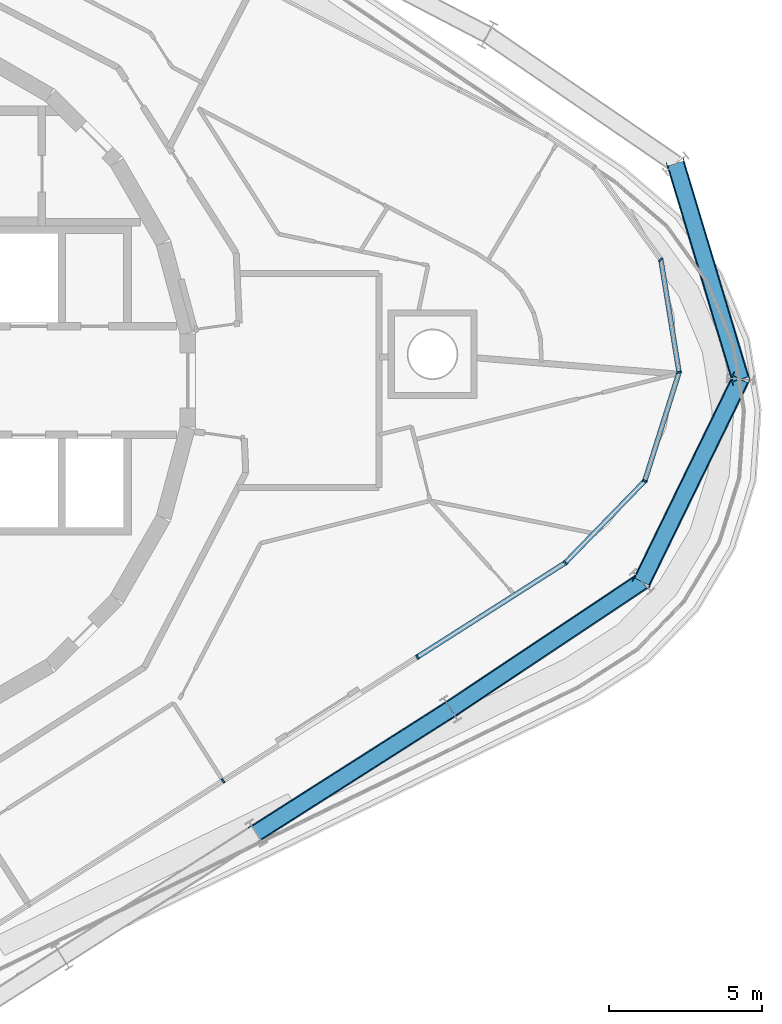
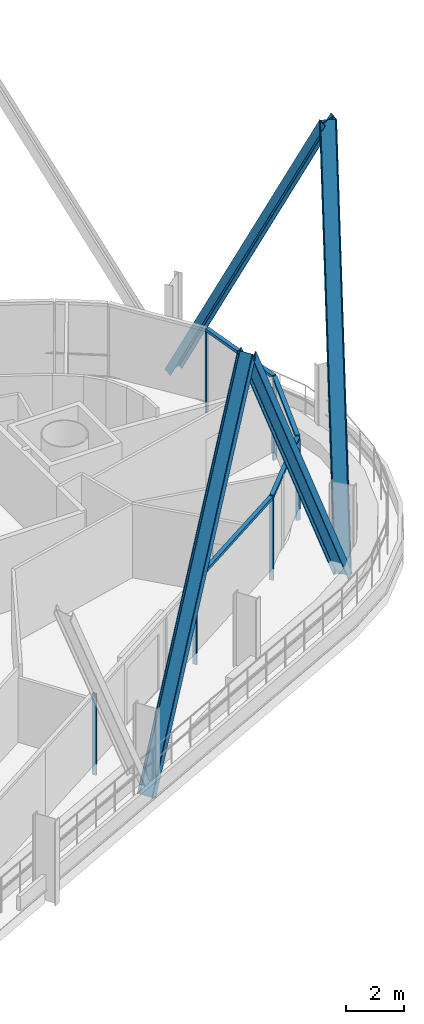
# One storey, part 5 of 20: 14 members, 2 elements without a shape of their own.
"""IFC4 building model written with IfcOpenShell, lengths in metres."""

from ifc_helpers import new_model, si_unit, direction, frame, origin, origin_2d, place, context, subcontext, project, spatial, rectangle, i_section, extrude, material, layer, layer_set, material_profile, profile_set, type_object, element, aggregate, save


model = new_model("IFC4")

# Units and contexts
model_context = context("Model", 3, precision=1e-05, world=origin(), true_north=direction((0.0, 1.0)))
body_context = subcontext(model_context, "Body", "Model", "MODEL_VIEW")
ifc_project = project(units=[si_unit("LENGTHUNIT", "METRE"), si_unit("AREAUNIT", "SQUARE_METRE"), si_unit("VOLUMEUNIT", "CUBIC_METRE"), si_unit("PLANEANGLEUNIT", "RADIAN"), si_unit("MASSUNIT", "GRAM", prefix="KILO")], contexts=[model_context])

# Site, building, storey
site_placement = place(None, origin())
site = spatial("IfcSite", under=ifc_project, at=site_placement, CompositionType="ELEMENT")
building_placement = place(site_placement, origin())
building = spatial("IfcBuilding", under=site, at=building_placement, Name="Spindle Arch Residences", CompositionType="ELEMENT")
storey_placement = place(building_placement, frame((0.0, 0.0, 226.699951171875)))
storey = spatial("IfcBuildingStorey", under=building, at=storey_placement, Name="L57", CompositionType="ELEMENT", Elevation=226.699951171875)

# Curtain wall, members
ifc_material_1 = material(Name="Aluminium bronze unitised frame with tinted glass", Category="aluminium")
ifc_layer_1 = layer(ifc_material_1, 0.159912109375)
ifc_layer_set_1 = layer_set([ifc_layer_1], Name="CW-D corner wall on the fillet arcs")
curtain_wall_type_1 = type_object("IfcCurtainWallType", Name="CW-D corner wall on the fillet arcs", PredefinedType="NOTDEFINED", material=ifc_layer_set_1)
curtain_wall_1_placement = place(storey_placement, origin())
curtain_wall_1 = element("IfcCurtainWall", 1, at=curtain_wall_1_placement, inside=storey, type_object=curtain_wall_type_1, Name="CW-D L57 run 1", PredefinedType="NOTDEFINED")
ifc_material_2 = material(Name="Aluminium bronze anodised mullion", Category="aluminium")
ifc_material_profile_1 = material_profile(ifc_material_2, rectangle(XDim=0.159912109375, YDim=0.06005859375, at=origin_2d()), Name="MU 60x160")
ifc_profile_set_1 = profile_set([ifc_material_profile_1], Name="Aluminium bronze anodised mullion")
member_type_1 = type_object("IfcMemberType", Name="Bronze mullion 60x160", PredefinedType="MULLION", material=ifc_profile_set_1)
member_1_placement = place(storey_placement, frame((19.151611328125, -9.0400390625, -0.449951171875), z_axis=(0.0, 0.0, 1.0), x_axis=(-0.537299608347, 0.843391445813, 0.0)))
member_1 = element("IfcMember", 2, at=member_1_placement, type_object=member_type_1, Name="CW-D mullion 00", PredefinedType="MULLION", context=body_context, shape_type="SweptSolid", body=[
    extrude(rectangle(XDim=0.159912109375, YDim=0.06005859375, at=origin_2d()), origin(), (0.0, 0.0, 1.0), 3.449951171875),
])
member_2_placement = place(storey_placement, frame((23.991455078125, -5.956787109375, -0.449951171875), z_axis=(0.0, 0.0, 1.0), x_axis=(-0.71731607908, 0.696747904692, 0.0)))
member_2 = element("IfcMember", 3, at=member_2_placement, type_object=member_type_1, Name="CW-D mullion 01", PredefinedType="MULLION", context=body_context, shape_type="SweptSolid", body=[
    extrude(rectangle(XDim=0.159912109375, YDim=0.06005859375, at=origin_2d()), origin(), (0.0, 0.0, 1.0), 3.449951171875),
])
member_3_placement = place(storey_placement, frame((26.587890625, -3.283447265625, -0.449951171875), z_axis=(0.0, 0.0, 1.0), x_axis=(-0.953716949352, 0.300705803932, 0.0)))
member_3 = element("IfcMember", 4, at=member_3_placement, type_object=member_type_1, Name="CW-D mullion 02", PredefinedType="MULLION", context=body_context, shape_type="SweptSolid", body=[
    extrude(rectangle(XDim=0.159912109375, YDim=0.06005859375, at=origin_2d()), origin(), (0.0, 0.0, 1.0), 3.449951171875),
])
member_4_placement = place(storey_placement, frame((27.708740234375, 0.270751953125, -0.449951171875), z_axis=(0.0, 0.0, 1.0), x_axis=(-0.987229114298, -0.15930686075, 0.0)))
member_4 = element("IfcMember", 5, at=member_4_placement, type_object=member_type_1, Name="CW-D mullion 03", PredefinedType="MULLION", context=body_context, shape_type="SweptSolid", body=[
    extrude(rectangle(XDim=0.159912109375, YDim=0.06005859375, at=origin_2d()), origin(), (0.0, 0.0, 1.0), 3.449951171875),
])
member_5_placement = place(storey_placement, frame((27.114990234375, 3.949951171875, -0.449951171875), z_axis=(0.0, 0.0, 1.0), x_axis=(-0.810723368962, -0.585429431289, 0.0)))
member_5 = element("IfcMember", 6, at=member_5_placement, type_object=member_type_1, Name="CW-D mullion 04", PredefinedType="MULLION", context=body_context, shape_type="SweptSolid", body=[
    extrude(rectangle(XDim=0.159912109375, YDim=0.06005859375, at=origin_2d()), origin(), (0.0, 0.0, 1.0), 3.449951171875),
])

# Curtain wall, member
ifc_material_3 = material(Name="Aluminium bronze unitised frame with tinted glass", Category="aluminium")
ifc_layer_2 = layer(ifc_material_3, 0.159912109375)
ifc_layer_set_2 = layer_set([ifc_layer_2], Name="CW-C typical residential unitised wall")
curtain_wall_type_2 = type_object("IfcCurtainWallType", Name="CW-C typical residential unitised wall", PredefinedType="NOTDEFINED", material=ifc_layer_set_2)
curtain_wall_2_placement = place(storey_placement, origin())
curtain_wall_2 = element("IfcCurtainWall", 7, at=curtain_wall_2_placement, inside=storey, type_object=curtain_wall_type_2, Name="CW-C L57 run 6", PredefinedType="NOTDEFINED")
member_6_placement = place(storey_placement, frame((12.80078125, -13.0859375, -0.449951171875), z_axis=(0.0, 0.0, 1.0), x_axis=(-0.537299608347, 0.843391445813, 0.0)))
member_6 = element("IfcMember", 8, at=member_6_placement, type_object=member_type_1, Name="CW-C mullion 00", PredefinedType="MULLION", context=body_context, shape_type="SweptSolid", body=[
    extrude(rectangle(XDim=0.159912109375, YDim=0.06005859375, at=origin_2d()), origin(), (0.0, 0.0, 1.0), 3.449951171875),
])
aggregate(curtain_wall_2, [member_6])

# Member
ifc_material_4 = material(Name="Aluminium bronze anodised transom", Category="aluminium")
ifc_material_profile_2 = material_profile(ifc_material_4, rectangle(XDim=0.159912109375, YDim=0.1201171875, at=origin_2d()), Name="TR 120x160")
ifc_profile_set_2 = profile_set([ifc_material_profile_2], Name="Aluminium bronze anodised transom")
member_type_2 = type_object("IfcMemberType", Name="Bronze transom 120x160", PredefinedType="USERDEFINED", material=ifc_profile_set_2)
member_7_placement = place(storey_placement, frame((19.177001953125, -9.02392578125, 3.06005859375), z_axis=(0.843386969226, 0.537306635115, 0.0), x_axis=(-0.537306635115, 0.843386969226, 0.0)))
member_7 = element("IfcMember", 9, at=member_7_placement, type_object=member_type_2, Name="CW-D transom 00", ObjectType="TRANSOM", PredefinedType="USERDEFINED", context=body_context, shape_type="SweptSolid", body=[
    extrude(rectangle(XDim=0.159912109375, YDim=0.1201171875, at=origin_2d()), origin(), (0.0, 0.0, 1.0), 5.678466796875),
])

member_8_placement = place(storey_placement, frame((24.01220703125, -5.93505859375, 3.06005859375), z_axis=(0.696778833098, 0.717286036213, 0.0), x_axis=(-0.717286036213, 0.696778833098, 0.0)))
member_8 = element("IfcMember", 10, at=member_8_placement, type_object=member_type_2, Name="CW-D transom 01", ObjectType="TRANSOM", PredefinedType="USERDEFINED", context=body_context, shape_type="SweptSolid", body=[
    extrude(rectangle(XDim=0.159912109375, YDim=0.1201171875, at=origin_2d()), origin(), (0.0, 0.0, 1.0), 3.666748046875),
])

member_9_placement = place(storey_placement, frame((26.596923828125, -3.2548828125, 3.06005859375), z_axis=(0.300745778047, 0.953704344641, 0.0), x_axis=(-0.953704344641, 0.300745778047, 0.0)))
member_9 = element("IfcMember", 11, at=member_9_placement, type_object=member_type_2, Name="CW-D transom 02", ObjectType="TRANSOM", PredefinedType="USERDEFINED", context=body_context, shape_type="SweptSolid", body=[
    extrude(rectangle(XDim=0.159912109375, YDim=0.1201171875, at=origin_2d()), origin(), (0.0, 0.0, 1.0), 3.666748046875),
])

member_10_placement = place(storey_placement, frame((27.703857421875, 0.300537109375, 3.06005859375), z_axis=(-0.15933292013, 0.987224908804, 0.0), x_axis=(-0.987224908804, -0.15933292013, 0.0)))
member_10 = element("IfcMember", 12, at=member_10_placement, type_object=member_type_2, Name="CW-D transom 03", ObjectType="TRANSOM", PredefinedType="USERDEFINED", context=body_context, shape_type="SweptSolid", body=[
    extrude(rectangle(XDim=0.159912109375, YDim=0.1201171875, at=origin_2d()), origin(), (0.0, 0.0, 1.0), 3.666748046875),
])

aggregate(curtain_wall_1, [member_1, member_7, member_2, member_8, member_3, member_9, member_4, member_10, member_5])

# Members
ifc_material_5 = material(Name="Steel S460ML, intumescent coating R 240", Category="steel")
ifc_material_profile_3 = material_profile(ifc_material_5, i_section(OverallWidth=0.300048828125, OverallDepth=0.60009765625, WebThickness=0.015380859375, FlangeThickness=0.030029296875, FilletRadius=0.027099609375, at=origin_2d()), Name="HEB 600")
ifc_profile_set_3 = profile_set([ifc_material_profile_3], Name="Steel S460ML, intumescent coating R 240")
member_type_3 = type_object("IfcMemberType", Name="Diagrid diagonal HEB 600", PredefinedType="BRACE", material=ifc_profile_set_3)
member_11_placement = place(storey_placement, frame((13.885986328125, -14.78955078125, -0.699951171875), z_axis=(0.397962650471, 0.253528506654, 0.881673990284), x_axis=(-0.743597709391, -0.473720879561, 0.471859062492)))
element("IfcMember", 13, at=member_11_placement, inside=storey, type_object=member_type_3, Name="Diagrid diagonal 6.1.1", PredefinedType="BRACE", context=body_context, shape_type="SweptSolid", body=[
    extrude(i_section(OverallWidth=0.300048828125, OverallDepth=0.60009765625, WebThickness=0.015380859375, FlangeThickness=0.030029296875, FilletRadius=0.027099609375, at=origin_2d()), origin(), (0.0, 0.0, 1.0), 15.958251953125),
])
member_12_placement = place(storey_placement, frame((26.49462890625, -6.569091796875, -0.699951171875), z_axis=(-0.392222574807, -0.261650039272, 0.88187340858), x_axis=(0.733617689355, 0.48939329238, 0.471486257742)))
element("IfcMember", 14, at=member_12_placement, inside=storey, type_object=member_type_3, Name="Diagrid diagonal 6.1.2", PredefinedType="BRACE", context=body_context, shape_type="SweptSolid", body=[
    extrude(i_section(OverallWidth=0.300048828125, OverallDepth=0.60009765625, WebThickness=0.015380859375, FlangeThickness=0.030029296875, FilletRadius=0.027099609375, at=origin_2d()), origin(), (0.0, 0.0, 1.0), 15.954833984375),
])
for number, where, z_axis, x_axis, name in (
    (15, (26.49462890625, -6.569091796875, -0.699951171875), (0.202971595369, 0.416537692951, 0.886170910053), (-0.388182186298, -0.796626306411, 0.463358520128), "Diagrid diagonal 6.1.3"),
    (16, (27.598388671875, 7.089599609375, -0.699951171875), (0.133453862309, -0.443723712945, 0.886171164734), (-0.255230202488, 0.848620573014, 0.463358033053), "Diagrid diagonal 6.1.4"),
):
    element("IfcMember", number, at=place(storey_placement, frame(where, z_axis=z_axis, x_axis=x_axis)), inside=storey, type_object=member_type_3, Name=name, PredefinedType="BRACE", context=body_context, shape_type="SweptSolid", body=[
        extrude(i_section(OverallWidth=0.300048828125, OverallDepth=0.60009765625, WebThickness=0.015380859375, FlangeThickness=0.030029296875, FilletRadius=0.027099609375, at=origin_2d()), origin(), (0.0, 0.0, 1.0), 15.87744140625),
    ])

save(model, "model.ifc")
